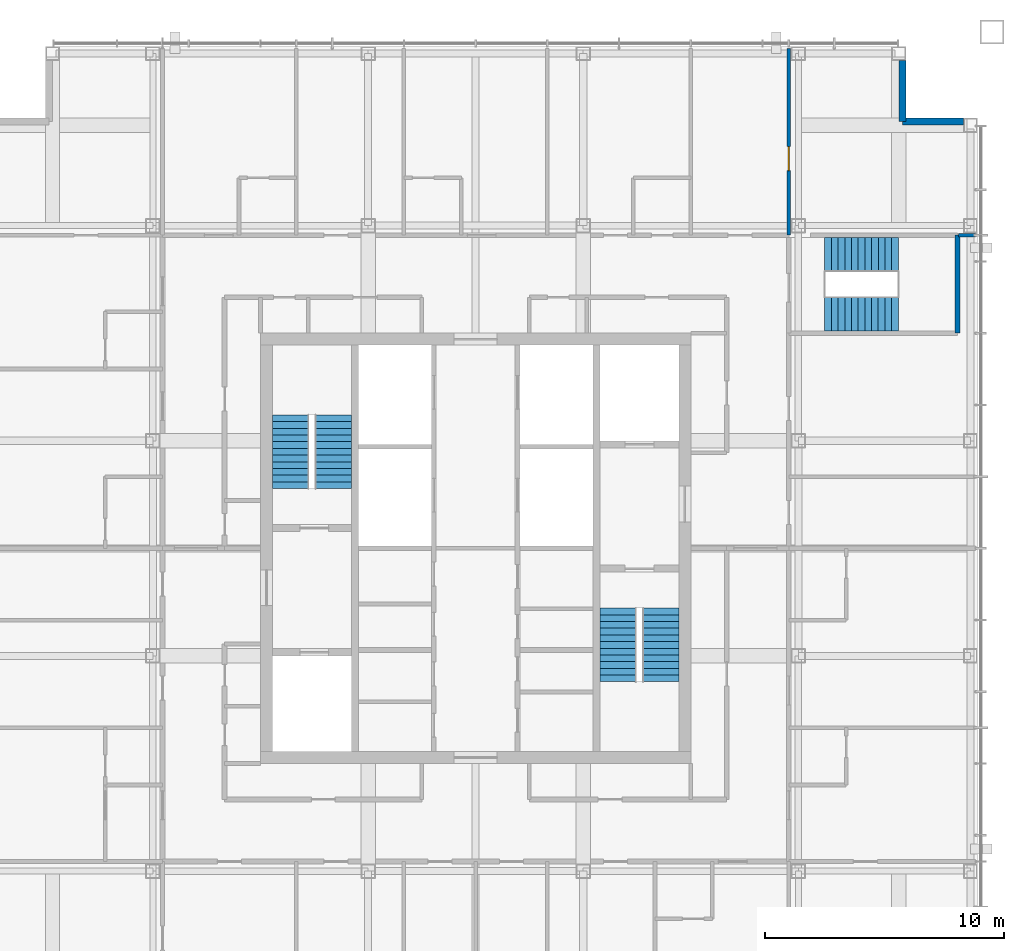
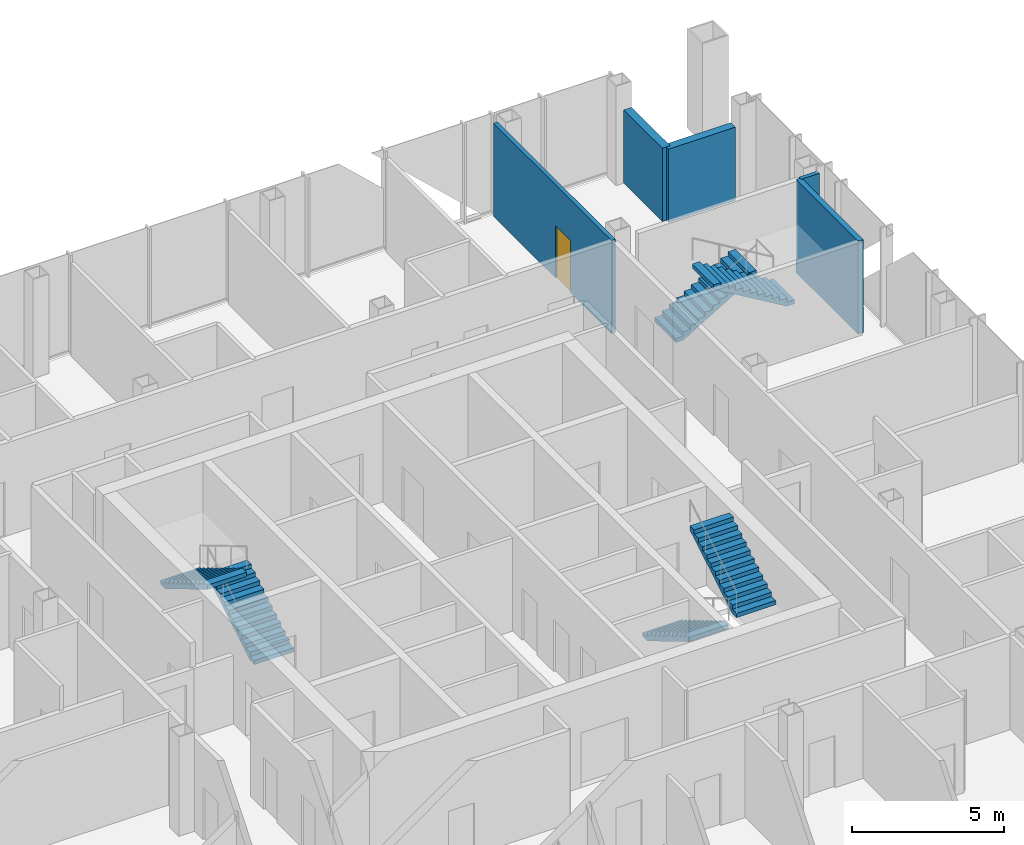
# One storey, part 11 of 14: 6 stair flights, 5 walls, 1 door, 1 opening, 3 elements without a shape of their own.
"""IFC4 building model written with IfcOpenShell, lengths in metres."""

from ifc_helpers import new_model, si_unit, direction, frame, frame_2d, origin, place, context, subcontext, project, spatial, polyline, rectangle, outline, extrude, material, layer, layer_set, type_object, element, fill, aggregate, save


model = new_model("IFC4")

# Units and contexts
model_context = context("Model", 3, precision=1e-05, world=origin(), true_north=direction((0.0, 1.0)))
body_context = subcontext(model_context, "Body", "Model", "MODEL_VIEW")
ifc_project = project(units=[si_unit("LENGTHUNIT", "METRE"), si_unit("AREAUNIT", "SQUARE_METRE"), si_unit("VOLUMEUNIT", "CUBIC_METRE"), si_unit("PLANEANGLEUNIT", "RADIAN"), si_unit("MASSUNIT", "GRAM", prefix="KILO")], contexts=[model_context])

# Site, building, storey
site_placement = place(None, origin())
site = spatial("IfcSite", under=ifc_project, at=site_placement, CompositionType="ELEMENT")
building_placement = place(site_placement, origin())
building = spatial("IfcBuilding", under=site, at=building_placement, Name="Malebo Sky Hospital", CompositionType="ELEMENT")
storey_placement = place(building_placement, frame((0.0, 0.0, 258.0)))
storey = spatial("IfcBuildingStorey", under=building, at=storey_placement, Name="L62", CompositionType="ELEMENT", Elevation=258.0)

# Walls
ifc_material_1 = material(Name="Anodised aluminium rainscreen on steel framing", Category="steel")
ifc_layer_1 = layer(ifc_material_1, 0.300048828125)
ifc_layer_set_1 = layer_set([ifc_layer_1], Name="NOTCH RAINSCREEN WALL 300")
wall_type_1 = type_object("IfcWallType", Name="NOTCH RAINSCREEN WALL 300", PredefinedType="ELEMENTEDWALL", material=ifc_layer_set_1)
for number, where, z_axis, x_axis, name in (
    (1, (77.85009765625, 82.39990234375, 0.0), (0.0, 0.0, 1.0), (0.0, -1.0, 0.0), "Notch rainscreen wall N1 L62"),
    (2, (77.85009765625, 79.85009765625, 0.0), (0.0, 0.0, 1.0), (1.0, 0.0, 0.0), "Notch rainscreen wall N2 L62"),
):
    element("IfcWall", number, at=place(storey_placement, frame(where, z_axis=z_axis, x_axis=x_axis)), inside=storey, type_object=wall_type_1, Name=name, PredefinedType="ELEMENTEDWALL", context=body_context, shape_type="SweptSolid", body=[
        extrude(rectangle(XDim=2.5498046875, YDim=0.300048828125, at=frame_2d((1.27490234375, 0.0))), origin(), (0.0, 0.0, 1.0), 2.949951171875),
    ])

# Wall, opening, door
ifc_material_2 = material(Name="Gypsum board on steel studs", Category="steel")
ifc_layer_2 = layer(ifc_material_2, 0.14990234375)
ifc_layer_set_2 = layer_set([ifc_layer_2], Name="PARTITION 150")
wall_type_2 = type_object("IfcWallType", Name="PARTITION 150", PredefinedType="PARTITIONING", material=ifc_layer_set_2)
wall_1_placement = place(storey_placement, frame((73.10009765625, 75.10009765625, 0.0), z_axis=(0.0, 0.0, 1.0), x_axis=(0.0, 1.0, 0.0)))
wall_1 = element("IfcWall", 3, at=wall_1_placement, inside=storey, type_object=wall_type_2, Name="Partition 150 NK", PredefinedType="PARTITIONING", context=body_context, shape_type="SweptSolid", body=[
    extrude(rectangle(XDim=7.7998046875, YDim=0.14990234375, at=frame_2d((3.89990234375, 0.0))), origin(), (0.0, 0.0, 1.0), 3.75),
])
opening_placement = place(wall_1_placement, frame((2.699951171875, 0.0, 0.0)))
opening = element("IfcOpeningElement", 4, at=opening_placement, cuts=wall_1, Name="Opening D03", PredefinedType="OPENING", context=body_context, shape_type="SweptSolid", body=[
    extrude(rectangle(XDim=1.0, YDim=2.10009765625, at=frame_2d((0.5, 1.050048828125))), frame((0.0, 0.0849609375, 0.0), z_axis=(0.0, -1.0, 0.0), x_axis=(1.0, 0.0, 0.0)), (0.0, 0.0, 1.0), 0.169921875),
])
ifc_material_3 = material(Name="Hardwood-faced door leaf in steel frame", Category="steel")
door_type = type_object("IfcDoorType", Name="ROOM DOOR 1000", OperationType="SINGLE_SWING_LEFT", PredefinedType="DOOR", material=ifc_material_3)
door_placement = place(opening_placement, origin())
door = element("IfcDoor", 5, at=door_placement, inside=storey, type_object=door_type, Name="Quiet room door", OperationType="SINGLE_SWING_LEFT", OverallHeight=2.10009765625, OverallWidth=1.0, PredefinedType="DOOR", context=body_context, shape_type="SweptSolid", body=[
    extrude(rectangle(XDim=1.0, YDim=2.10009765625, at=frame_2d((0.5, 1.050048828125))), frame((0.0, 0.02490234375, 0.0), z_axis=(0.0, -1.0, 0.0), x_axis=(1.0, 0.0, 0.0)), (0.0, 0.0, 1.0), 0.050048828125),
])
fill(opening, door)

# Walls
wall_2_placement = place(storey_placement, frame((80.199951171875, 75.10009765625, 0.0), z_axis=(0.0, 0.0, 1.0), x_axis=(1.0, 0.0, 0.0)))
element("IfcWall", 6, at=wall_2_placement, inside=storey, type_object=wall_type_2, Name="Partition 150 EP0", PredefinedType="PARTITIONING", context=body_context, shape_type="SweptSolid", body=[
    extrude(rectangle(XDim=0.699951171875, YDim=0.14990234375, at=frame_2d((0.35009765625, 0.0))), origin(), (0.0, 0.0, 1.0), 3.75),
])
ifc_material_4 = material(Name="Concrete C40/50", Category="concrete")
ifc_layer_3 = layer(ifc_material_4, 0.199951171875)
ifc_layer_set_3 = layer_set([ifc_layer_3], Name="STAIR ENCLOSURE WALL 200")
wall_type_3 = type_object("IfcWallType", Name="STAIR ENCLOSURE WALL 200", PredefinedType="SOLIDWALL", material=ifc_layer_set_3)
wall_3_placement = place(storey_placement, frame((80.14990234375, 71.0, 0.0), z_axis=(0.0, 0.0, 1.0), x_axis=(0.0, 1.0, 0.0)))
element("IfcWall", 7, at=wall_3_placement, inside=storey, type_object=wall_type_3, Name="Stair Enclosure Wall 200 ST3EE", PredefinedType="SOLIDWALL", context=body_context, shape_type="SweptSolid", body=[
    extrude(rectangle(XDim=4.10009765625, YDim=0.199951171875, at=frame_2d((2.050048828125, 0.0))), origin(), (0.0, 0.0, 1.0), 3.75),
])

# Stair, stair flights
stair_type_1 = type_object("IfcStairType", Name="HALF-TURN STAIR 1400 R167", PredefinedType="HALF_TURN_STAIR", material=ifc_material_4)
stair_1_placement = place(storey_placement, origin())
stair_1 = element("IfcStair", 8, at=stair_1_placement, inside=storey, type_object=stair_type_1, Name="Stair S3 L62 type ST1B", PredefinedType="HALF_TURN_STAIR")
stair_flight_type_1 = type_object("IfcStairFlightType", Name="STAIR FLIGHT 1400 R167", PredefinedType="STRAIGHT", material=ifc_material_4)
stair_flight_1_placement = place(storey_placement, frame((74.60009765625, 74.300048828125, 0.0), z_axis=(0.0, 0.0, 1.0), x_axis=(1.0, 0.0, 0.0)))
stair_flight_1 = element("IfcStairFlight", 9, at=stair_flight_1_placement, type_object=stair_flight_type_1, Name="S3 flight 1 type SF1B", NumberOfRisers=12, NumberOfTreads=11, PredefinedType="STRAIGHT", RiserHeight=0.166666667, TreadLength=0.28, context=body_context, shape_type="SweptSolid", body=[
    extrude(outline(polyline([(0.0, 0.0), (0.0, 0.166748046875), (0.280029296875, 0.166748046875), (0.280029296875, 0.333251953125), (0.56005859375, 0.333251953125), (0.56005859375, 0.5), (0.840087890625, 0.5), (0.840087890625, 0.666748046875), (1.1201171875, 0.666748046875), (1.1201171875, 0.833251953125), (1.39990234375, 0.833251953125), (1.39990234375, 1.0), (1.679931640625, 1.0), (1.679931640625, 1.166748046875), (1.9599609375, 1.166748046875), (1.9599609375, 1.333251953125), (2.239990234375, 1.333251953125), (2.239990234375, 1.5), (2.52001953125, 1.5), (2.52001953125, 1.666748046875), (2.800048828125, 1.666748046875), (2.800048828125, 1.833251953125), (3.080078125, 1.833251953125), (3.080078125, 2.0), (3.080078125, 1.658935546875), (0.29296875, 0.0), (0.0, 0.0)])), frame((0.0, 0.699951171875, 0.0), z_axis=(0.0, -1.0, 0.0), x_axis=(1.0, 0.0, 0.0)), (0.0, 0.0, 1.0), 1.39990234375),
])
stair_flight_2_placement = place(storey_placement, frame((77.679931640625, 71.800048828125, 2.0), z_axis=(0.0, 0.0, 1.0), x_axis=(-1.0, 0.0, 0.0)))
stair_flight_2 = element("IfcStairFlight", 10, at=stair_flight_2_placement, type_object=stair_flight_type_1, Name="S3 flight 2 type SF1B", NumberOfRisers=12, NumberOfTreads=11, PredefinedType="STRAIGHT", RiserHeight=0.166666667, TreadLength=0.28, context=body_context, shape_type="SweptSolid", body=[
    extrude(outline(polyline([(0.0, 0.0), (0.0, 0.166748046875), (0.280029296875, 0.166748046875), (0.280029296875, 0.333251953125), (0.56005859375, 0.333251953125), (0.56005859375, 0.5), (0.840087890625, 0.5), (0.840087890625, 0.666748046875), (1.1201171875, 0.666748046875), (1.1201171875, 0.833251953125), (1.39990234375, 0.833251953125), (1.39990234375, 1.0), (1.679931640625, 1.0), (1.679931640625, 1.166748046875), (1.9599609375, 1.166748046875), (1.9599609375, 1.333251953125), (2.239990234375, 1.333251953125), (2.239990234375, 1.5), (2.52001953125, 1.5), (2.52001953125, 1.666748046875), (2.800048828125, 1.666748046875), (2.800048828125, 1.833251953125), (3.080078125, 1.833251953125), (3.080078125, 2.0), (3.080078125, 1.658935546875), (0.29296875, 0.0), (0.0, 0.0)])), frame((0.0, 0.699951171875, 0.0), z_axis=(0.0, -1.0, 0.0), x_axis=(1.0, 0.0, 0.0)), (0.0, 0.0, 1.0), 1.39990234375),
])
aggregate(stair_1, [stair_flight_1, stair_flight_2])

stair_type_2 = type_object("IfcStairType", Name="HALF-TURN STAIR 1500 R167", PredefinedType="HALF_TURN_STAIR", material=ifc_material_4)
stair_2_placement = place(storey_placement, origin())
stair_2 = element("IfcStair", 11, at=stair_2_placement, inside=storey, type_object=stair_type_2, Name="Stair S1 L62 type ST1", PredefinedType="HALF_TURN_STAIR")
stair_flight_type_2 = type_object("IfcStairFlightType", Name="STAIR FLIGHT 1500 R167", PredefinedType="STRAIGHT", material=ifc_material_4)
stair_flight_3_placement = place(storey_placement, frame((54.050048828125, 64.5, 0.0), z_axis=(0.0, 0.0, 1.0), x_axis=(0.0, 1.0, 0.0)))
stair_flight_3 = element("IfcStairFlight", 12, at=stair_flight_3_placement, type_object=stair_flight_type_2, Name="S1 flight 1 type SF1", NumberOfRisers=12, NumberOfTreads=11, PredefinedType="STRAIGHT", RiserHeight=0.166666667, TreadLength=0.28, context=body_context, shape_type="SweptSolid", body=[
    extrude(outline(polyline([(0.0, 0.0), (0.0, 0.166748046875), (0.280029296875, 0.166748046875), (0.280029296875, 0.333251953125), (0.56005859375, 0.333251953125), (0.56005859375, 0.5), (0.840087890625, 0.5), (0.840087890625, 0.666748046875), (1.1201171875, 0.666748046875), (1.1201171875, 0.833251953125), (1.39990234375, 0.833251953125), (1.39990234375, 1.0), (1.679931640625, 1.0), (1.679931640625, 1.166748046875), (1.9599609375, 1.166748046875), (1.9599609375, 1.333251953125), (2.239990234375, 1.333251953125), (2.239990234375, 1.5), (2.52001953125, 1.5), (2.52001953125, 1.666748046875), (2.800048828125, 1.666748046875), (2.800048828125, 1.833251953125), (3.080078125, 1.833251953125), (3.080078125, 2.0), (3.080078125, 1.658935546875), (0.29296875, 0.0), (0.0, 0.0)])), frame((0.0, 0.75, 0.0), z_axis=(0.0, -1.0, 0.0), x_axis=(1.0, 0.0, 0.0)), (0.0, 0.0, 1.0), 1.5),
])
stair_flight_4_placement = place(storey_placement, frame((52.25, 67.580078125, 2.0), z_axis=(0.0, 0.0, 1.0), x_axis=(0.0, -1.0, 0.0)))
stair_flight_4 = element("IfcStairFlight", 13, at=stair_flight_4_placement, type_object=stair_flight_type_2, Name="S1 flight 2 type SF1", NumberOfRisers=12, NumberOfTreads=11, PredefinedType="STRAIGHT", RiserHeight=0.166666667, TreadLength=0.28, context=body_context, shape_type="SweptSolid", body=[
    extrude(outline(polyline([(0.0, 0.0), (0.0, 0.166748046875), (0.280029296875, 0.166748046875), (0.280029296875, 0.333251953125), (0.56005859375, 0.333251953125), (0.56005859375, 0.5), (0.840087890625, 0.5), (0.840087890625, 0.666748046875), (1.1201171875, 0.666748046875), (1.1201171875, 0.833251953125), (1.39990234375, 0.833251953125), (1.39990234375, 1.0), (1.679931640625, 1.0), (1.679931640625, 1.166748046875), (1.9599609375, 1.166748046875), (1.9599609375, 1.333251953125), (2.239990234375, 1.333251953125), (2.239990234375, 1.5), (2.52001953125, 1.5), (2.52001953125, 1.666748046875), (2.800048828125, 1.666748046875), (2.800048828125, 1.833251953125), (3.080078125, 1.833251953125), (3.080078125, 2.0), (3.080078125, 1.658935546875), (0.29296875, 0.0), (0.0, 0.0)])), frame((0.0, 0.75, 0.0), z_axis=(0.0, -1.0, 0.0), x_axis=(1.0, 0.0, 0.0)), (0.0, 0.0, 1.0), 1.5),
])
aggregate(stair_2, [stair_flight_3, stair_flight_4])

stair_3_placement = place(storey_placement, origin())
stair_3 = element("IfcStair", 14, at=stair_3_placement, inside=storey, type_object=stair_type_2, Name="Stair S2 L62 type ST1", PredefinedType="HALF_TURN_STAIR")
stair_flight_5_placement = place(storey_placement, frame((65.949951171875, 59.5, 0.0), z_axis=(0.0, 0.0, 1.0), x_axis=(0.0, -1.0, 0.0)))
stair_flight_5 = element("IfcStairFlight", 15, at=stair_flight_5_placement, type_object=stair_flight_type_2, Name="S2 flight 1 type SF1", NumberOfRisers=12, NumberOfTreads=11, PredefinedType="STRAIGHT", RiserHeight=0.166666667, TreadLength=0.28, context=body_context, shape_type="SweptSolid", body=[
    extrude(outline(polyline([(0.0, 0.0), (0.0, 0.166748046875), (0.280029296875, 0.166748046875), (0.280029296875, 0.333251953125), (0.56005859375, 0.333251953125), (0.56005859375, 0.5), (0.840087890625, 0.5), (0.840087890625, 0.666748046875), (1.1201171875, 0.666748046875), (1.1201171875, 0.833251953125), (1.39990234375, 0.833251953125), (1.39990234375, 1.0), (1.679931640625, 1.0), (1.679931640625, 1.166748046875), (1.9599609375, 1.166748046875), (1.9599609375, 1.333251953125), (2.239990234375, 1.333251953125), (2.239990234375, 1.5), (2.52001953125, 1.5), (2.52001953125, 1.666748046875), (2.800048828125, 1.666748046875), (2.800048828125, 1.833251953125), (3.080078125, 1.833251953125), (3.080078125, 2.0), (3.080078125, 1.658935546875), (0.29296875, 0.0), (0.0, 0.0)])), frame((0.0, 0.75, 0.0), z_axis=(0.0, -1.0, 0.0), x_axis=(1.0, 0.0, 0.0)), (0.0, 0.0, 1.0), 1.5),
])
stair_flight_6_placement = place(storey_placement, frame((67.75, 56.419921875, 2.0), z_axis=(0.0, 0.0, 1.0), x_axis=(0.0, 1.0, 0.0)))
stair_flight_6 = element("IfcStairFlight", 16, at=stair_flight_6_placement, type_object=stair_flight_type_2, Name="S2 flight 2 type SF1", NumberOfRisers=12, NumberOfTreads=11, PredefinedType="STRAIGHT", RiserHeight=0.166666667, TreadLength=0.28, context=body_context, shape_type="SweptSolid", body=[
    extrude(outline(polyline([(0.0, 0.0), (0.0, 0.166748046875), (0.280029296875, 0.166748046875), (0.280029296875, 0.333251953125), (0.56005859375, 0.333251953125), (0.56005859375, 0.5), (0.840087890625, 0.5), (0.840087890625, 0.666748046875), (1.1201171875, 0.666748046875), (1.1201171875, 0.833251953125), (1.39990234375, 0.833251953125), (1.39990234375, 1.0), (1.679931640625, 1.0), (1.679931640625, 1.166748046875), (1.9599609375, 1.166748046875), (1.9599609375, 1.333251953125), (2.239990234375, 1.333251953125), (2.239990234375, 1.5), (2.52001953125, 1.5), (2.52001953125, 1.666748046875), (2.800048828125, 1.666748046875), (2.800048828125, 1.833251953125), (3.080078125, 1.833251953125), (3.080078125, 2.0), (3.080078125, 1.658935546875), (0.29296875, 0.0), (0.0, 0.0)])), frame((0.0, 0.75, 0.0), z_axis=(0.0, -1.0, 0.0), x_axis=(1.0, 0.0, 0.0)), (0.0, 0.0, 1.0), 1.5),
])
aggregate(stair_3, [stair_flight_5, stair_flight_6])

save(model, "model.ifc")
